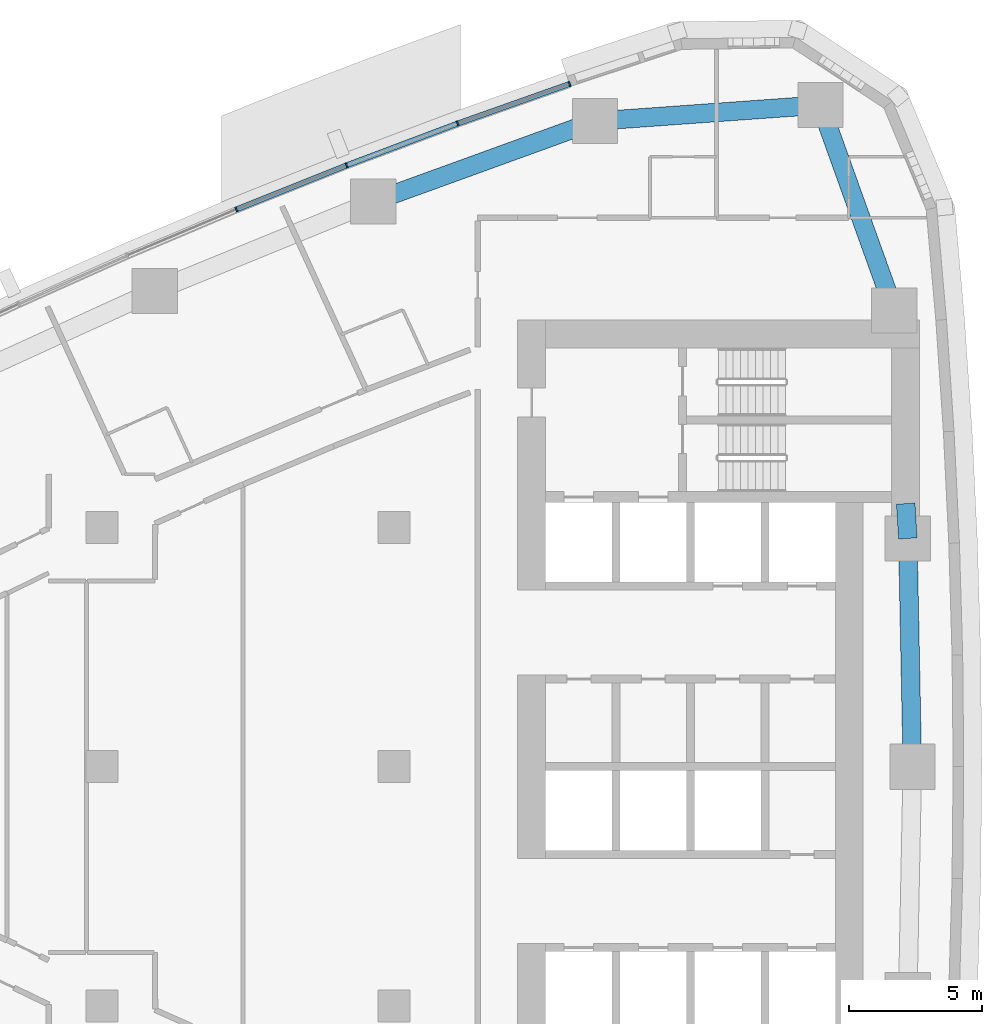
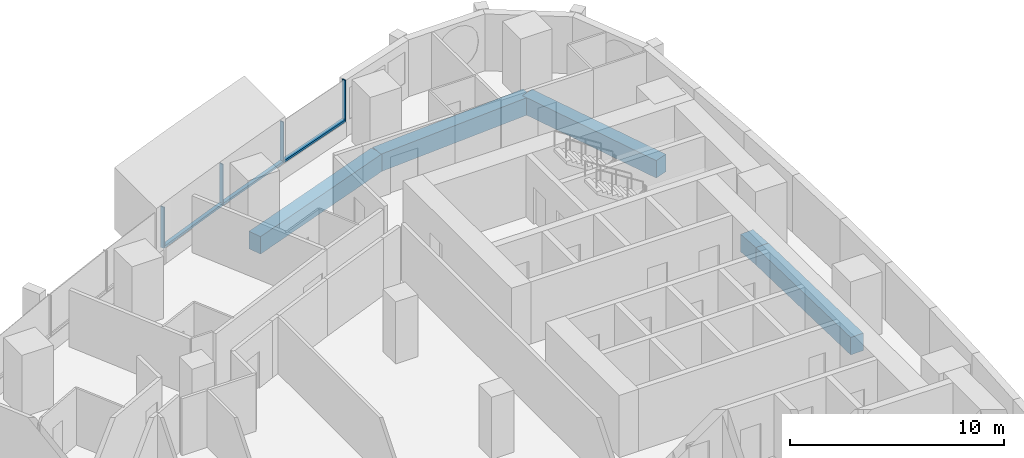
# One storey, part 6 of 17: 7 members, 5 beams, 2 elements without a shape of their own.
"""IFC4 building model written with IfcOpenShell, lengths in metres."""

from ifc_helpers import new_model, si_unit, direction, frame, origin, origin_2d, place, context, subcontext, project, spatial, rectangle, extrude, material, layer, layer_set, material_profile, profile_set, type_object, element, aggregate, save


model = new_model("IFC4")

# Units and contexts
model_context = context("Model", 3, precision=1e-05, world=origin(), true_north=direction((0.0, 1.0)))
body_context = subcontext(model_context, "Body", "Model", "MODEL_VIEW")
ifc_project = project(units=[si_unit("LENGTHUNIT", "METRE"), si_unit("AREAUNIT", "SQUARE_METRE"), si_unit("VOLUMEUNIT", "CUBIC_METRE"), si_unit("PLANEANGLEUNIT", "RADIAN"), si_unit("MASSUNIT", "GRAM", prefix="KILO")], contexts=[model_context])

# Site, building, storey
site_placement = place(None, origin())
site = spatial("IfcSite", under=ifc_project, at=site_placement, CompositionType="ELEMENT")
building_placement = place(site_placement, origin())
building = spatial("IfcBuilding", under=site, at=building_placement, Name="Ostrand Prow Hotel Tower", CompositionType="ELEMENT")
storey_placement = place(building_placement, frame((0.0, 0.0, 92.0)))
storey = spatial("IfcBuildingStorey", under=building, at=storey_placement, Name="L21", CompositionType="ELEMENT", Elevation=92.0)

# Beams
ifc_material_1 = material(Name="Concrete C80/95", Category="concrete")
ifc_material_profile_1 = material_profile(ifc_material_1, rectangle(XDim=0.699951171875, YDim=1.0, at=origin_2d()), Name="RC 700x1000")
ifc_profile_set_1 = profile_set([ifc_material_profile_1], Name="Concrete C80/95")
beam_type = type_object("IfcBeamType", Name="Edge beam 700x1000 C80/95", PredefinedType="SPANDREL", material=ifc_profile_set_1)
beam_1_placement = place(storey_placement, frame((64.5, 0.0, -0.800048828125), z_axis=(-0.019922705812, 0.9998015232, 0.0), x_axis=(-0.9998015232, -0.019922705812, 0.0)))
element("IfcBeam", 1, at=beam_1_placement, inside=storey, type_object=beam_type, Name="Edge beam B3-B4", PredefinedType="SPANDREL", context=body_context, shape_type="SweptSolid", body=[
    extrude(rectangle(XDim=0.699951171875, YDim=1.0, at=origin_2d()), origin(), (0.0, 0.0, 1.0), 8.59033203125),
])
beam_2_placement = place(storey_placement, frame((64.328857421875, 8.588623046875, -0.800048828125), z_axis=(-0.059658953766, 0.998218818314, 0.0), x_axis=(-0.998218818314, -0.059658953766, 0.0)))
element("IfcBeam", 2, at=beam_2_placement, inside=storey, type_object=beam_type, Name="Edge beam B4-B5", PredefinedType="SPANDREL", context=body_context, shape_type="SweptSolid", body=[
    extrude(rectangle(XDim=0.699951171875, YDim=1.0, at=origin_2d()), origin(), (0.0, 0.0, 1.0), 1.313720703125),
])
beam_3_placement = place(storey_placement, frame((63.815673828125, 17.16357421875, -0.800048828125), z_axis=(-0.337815484063, 0.941212355809, 0.0), x_axis=(-0.941212355809, -0.337815484063, 0.0)))
element("IfcBeam", 3, at=beam_3_placement, inside=storey, type_object=beam_type, Name="Edge beam B5-NE", PredefinedType="SPANDREL", context=body_context, shape_type="SweptSolid", body=[
    extrude(rectangle(XDim=0.699951171875, YDim=1.0, at=origin_2d()), origin(), (0.0, 0.0, 1.0), 8.21630859375),
])
beam_4_placement = place(storey_placement, frame((61.0400390625, 24.89697265625, -0.800048828125), z_axis=(-0.99747195063, -0.071061295414, 0.0), x_axis=(0.071061295414, -0.99747195063, 0.0)))
element("IfcBeam", 4, at=beam_4_placement, inside=storey, type_object=beam_type, Name="Edge beam NE-N1", PredefinedType="SPANDREL", context=body_context, shape_type="SweptSolid", body=[
    extrude(rectangle(XDim=0.699951171875, YDim=1.0, at=origin_2d()), origin(), (0.0, 0.0, 1.0), 8.499755859375),
])
beam_5_placement = place(storey_placement, frame((52.561767578125, 24.29296875, -0.800048828125), z_axis=(-0.940062739321, -0.341001533927, 0.0), x_axis=(0.341001533927, -0.940062739321, 0.0)))
element("IfcBeam", 5, at=beam_5_placement, inside=storey, type_object=beam_type, Name="Edge beam N1-N2", PredefinedType="SPANDREL", context=body_context, shape_type="SweptSolid", body=[
    extrude(rectangle(XDim=0.699951171875, YDim=1.0, at=origin_2d()), origin(), (0.0, 0.0, 1.0), 8.883544921875),
])

# Curtain wall, members
ifc_material_2 = material(Name="Insulated glass in bronze anodised frame", Category="glass")
ifc_layer = layer(ifc_material_2, 0.199951171875)
ifc_layer_set = layer_set([ifc_layer], Name="Insulated glass in bronze anodised frame")
curtain_wall_type = type_object("IfcCurtainWallType", Name="Strip curtain wall, fritted glass over bronze spandrel", PredefinedType="NOTDEFINED", material=ifc_layer_set)
curtain_wall_1_placement = place(storey_placement, origin())
curtain_wall_1 = element("IfcCurtainWall", 6, at=curtain_wall_1_placement, inside=storey, type_object=curtain_wall_type, Name="CW1 run CWN1", PredefinedType="NOTDEFINED")
ifc_material_3 = material(Name="Bronze anodised aluminium", Category="aluminium")
ifc_material_profile_2 = material_profile(ifc_material_3, rectangle(XDim=0.199951171875, YDim=0.06005859375, at=origin_2d()), Name="Mullion 60x200 bronze anodised aluminium")
ifc_profile_set_2 = profile_set([ifc_material_profile_2], Name="Bronze anodised aluminium")
member_type_1 = type_object("IfcMemberType", Name="Mullion 60x200 bronze anodised aluminium", PredefinedType="MULLION", material=ifc_profile_set_2)
member_1_placement = place(storey_placement, frame((51.601318359375, 25.692138671875, 0.89990234375), z_axis=(0.0, 0.0, 1.0), x_axis=(0.333495894542, -0.942751551748, 0.0)))
member_1 = element("IfcMember", 7, at=member_1_placement, type_object=member_type_1, Name="CW1 mullion 1", PredefinedType="MULLION", context=body_context, shape_type="SweptSolid", body=[
    extrude(rectangle(XDim=0.199951171875, YDim=0.06005859375, at=origin_2d()), origin(), (0.0, 0.0, 1.0), 2.35009765625),
])
member_2_placement = place(storey_placement, frame((47.390869140625, 24.202880859375, 0.89990234375), z_axis=(0.0, 0.0, 1.0), x_axis=(0.35230885193, -0.935883792387, 0.0)))
member_2 = element("IfcMember", 8, at=member_2_placement, type_object=member_type_1, Name="CW1 mullion 2", PredefinedType="MULLION", context=body_context, shape_type="SweptSolid", body=[
    extrude(rectangle(XDim=0.199951171875, YDim=0.06005859375, at=origin_2d()), origin(), (0.0, 0.0, 1.0), 2.35009765625),
])
member_3_placement = place(storey_placement, frame((43.211181640625, 22.62939453125, 0.89990234375), z_axis=(0.0, 0.0, 1.0), x_axis=(0.35230885193, -0.935883792387, 0.0)))
member_3 = element("IfcMember", 9, at=member_3_placement, type_object=member_type_1, Name="CW1 mullion 3", PredefinedType="MULLION", context=body_context, shape_type="SweptSolid", body=[
    extrude(rectangle(XDim=0.199951171875, YDim=0.06005859375, at=origin_2d()), origin(), (0.0, 0.0, 1.0), 2.35009765625),
])

# Curtain wall, member
curtain_wall_2_placement = place(storey_placement, origin())
curtain_wall_2 = element("IfcCurtainWall", 10, at=curtain_wall_2_placement, inside=storey, type_object=curtain_wall_type, Name="CW1 run CWN2", PredefinedType="NOTDEFINED")
member_4_placement = place(storey_placement, frame((39.06396484375, 20.97265625, 0.89990234375), z_axis=(0.0, 0.0, 1.0), x_axis=(0.389506566255, -0.921023688536, 0.0)))
member_4 = element("IfcMember", 11, at=member_4_placement, type_object=member_type_1, Name="CW1 mullion 2", PredefinedType="MULLION", context=body_context, shape_type="SweptSolid", body=[
    extrude(rectangle(XDim=0.199951171875, YDim=0.06005859375, at=origin_2d()), origin(), (0.0, 0.0, 1.0), 2.35009765625),
])

# Member
ifc_material_4 = material(Name="Bronze anodised aluminium", Category="aluminium")
ifc_material_profile_3 = material_profile(ifc_material_4, rectangle(XDim=0.199951171875, YDim=0.1201171875, at=origin_2d()), Name="Transom 120x200 bronze anodised aluminium")
ifc_profile_set_3 = profile_set([ifc_material_profile_3], Name="Bronze anodised aluminium")
member_type_2 = type_object("IfcMemberType", Name="Transom 120x200 bronze anodised aluminium", PredefinedType="USERDEFINED", material=ifc_profile_set_3)
member_5_placement = place(storey_placement, frame((51.572998046875, 25.68212890625, 0.9599609375), z_axis=(-0.942763014139, -0.333463490013, 0.0), x_axis=(0.333463490013, -0.942763014139, 0.0)))
member_5 = element("IfcMember", 12, at=member_5_placement, type_object=member_type_2, Name="CW1 transom 1.1", ObjectType="TRANSOM", PredefinedType="USERDEFINED", context=body_context, shape_type="SweptSolid", body=[
    extrude(rectangle(XDim=0.199951171875, YDim=0.1201171875, at=origin_2d()), origin(), (0.0, 0.0, 1.0), 4.406005859375),
])

member_6_placement = place(storey_placement, frame((47.36279296875, 24.1923828125, 0.9599609375), z_axis=(-0.935868398429, -0.352349742191, 0.0), x_axis=(0.352349742191, -0.935868398429, 0.0)))
member_6 = element("IfcMember", 13, at=member_6_placement, type_object=member_type_2, Name="CW1 transom 2.1", ObjectType="TRANSOM", PredefinedType="USERDEFINED", context=body_context, shape_type="SweptSolid", body=[
    extrude(rectangle(XDim=0.199951171875, YDim=0.1201171875, at=origin_2d()), origin(), (0.0, 0.0, 1.0), 4.406005859375),
])

aggregate(curtain_wall_1, [member_1, member_2, member_3, member_5, member_6])

member_7_placement = place(storey_placement, frame((43.183349609375, 22.618408203125, 0.9599609375), z_axis=(-0.928621833209, -0.371027614724, 0.0), x_axis=(0.371027614724, -0.928621833209, 0.0)))
member_7 = element("IfcMember", 14, at=member_7_placement, type_object=member_type_2, Name="CW1 transom 1.1", ObjectType="TRANSOM", PredefinedType="USERDEFINED", context=body_context, shape_type="SweptSolid", body=[
    extrude(rectangle(XDim=0.199951171875, YDim=0.1201171875, at=origin_2d()), origin(), (0.0, 0.0, 1.0), 4.406005859375),
])

aggregate(curtain_wall_2, [member_4, member_7])

save(model, "model.ifc")
